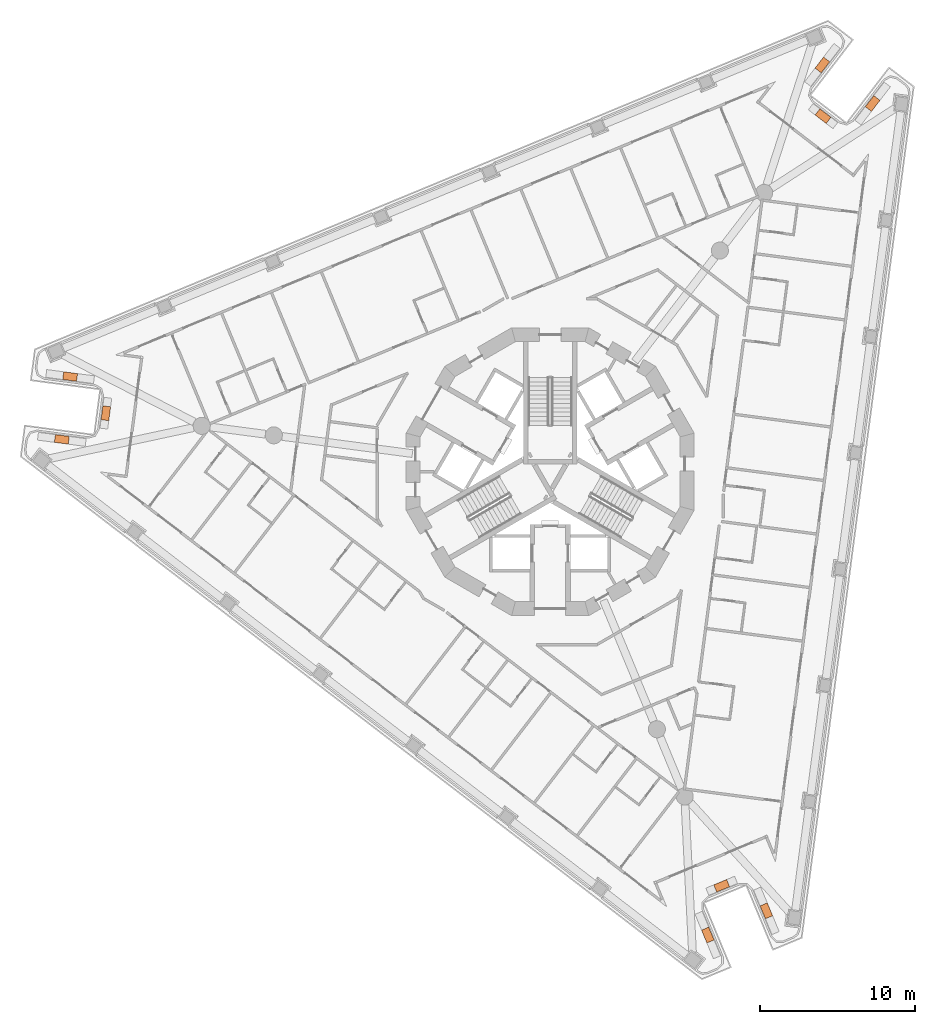
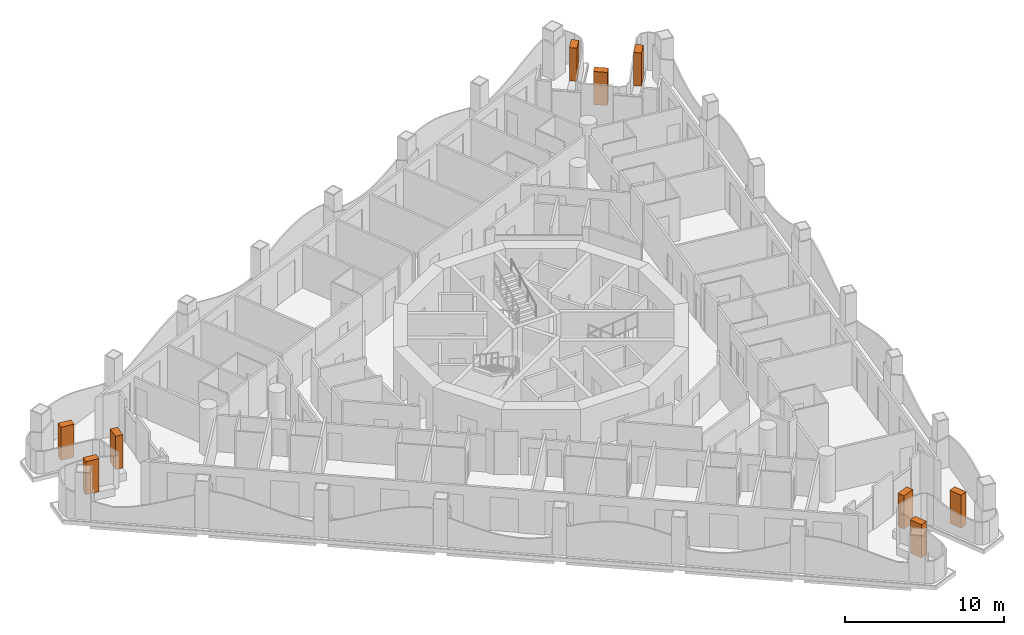
# One storey, part 17 of 17: 9 geographic elements.
"""IFC4 building model written with IfcOpenShell, lengths in metres."""

from ifc_helpers import new_model, si_unit, direction, frame, origin, origin_2d, place, context, subcontext, project, spatial, rectangle, extrude, element, save


model = new_model("IFC4")

# Units and contexts
model_context = context("Model", 3, precision=1e-05, world=origin(), true_north=direction((0.0, 1.0)))
body_context = subcontext(model_context, "Body", "Model", "MODEL_VIEW")
ifc_project = project(units=[si_unit("LENGTHUNIT", "METRE"), si_unit("AREAUNIT", "SQUARE_METRE"), si_unit("VOLUMEUNIT", "CUBIC_METRE"), si_unit("PLANEANGLEUNIT", "RADIAN"), si_unit("MASSUNIT", "GRAM", prefix="KILO")], contexts=[model_context])

# Site, building, storey
site_placement = place(None, origin())
site = spatial("IfcSite", under=ifc_project, at=site_placement, CompositionType="ELEMENT")
building_placement = place(site_placement, origin())
building = spatial("IfcBuilding", under=site, at=building_placement, Name="Trine Commons Tower", CompositionType="ELEMENT")
storey_placement = place(building_placement, frame((0.0, 0.0, 127.800048828125)))
storey = spatial("IfcBuildingStorey", under=building, at=storey_placement, Name="L32", CompositionType="ELEMENT", Elevation=127.800048828125)

# Geographic elements
for number, where, z_axis, x_axis, name in (
    (1, (48.54638671875, 64.58349609375, 0.60009765625), (0.0, 0.0, 1.0), (0.991446455978, -0.130514079426, 0.0), "Tree 1.1"),
    (2, (51.380615234375, 66.267822265625, 0.60009765625), (0.0, 0.0, 1.0), (0.130543496177, 0.991442583111, 0.0), "Tree 2.1"),
    (3, (49.078857421875, 68.62841796875, 0.60009765625), (0.0, 0.0, 1.0), (-0.991446000392, 0.130517540226, 0.0), "Tree 3.1"),
    (4, (97.531005859375, 88.697998046875, 0.60009765625), (0.0, 0.0, 1.0), (-0.608754505672, -0.793358652707, 0.0), "Tree 4.1"),
    (5, (97.57275390625, 85.4013671875, 0.60009765625), (0.0, 0.0, 1.0), (0.793335277627, -0.608784968008, 0.0), "Tree 5.1"),
    (6, (100.767822265625, 86.214111328125, 0.60009765625), (0.0, 0.0, 1.0), (0.6087683523, 0.793348027815, 0.0), "Tree 6.1"),
    (7, (93.922607421875, 34.21875, 0.60009765625), (0.0, 0.0, 1.0), (-0.382694719654, 0.923874857082, 0.0), "Tree 7.1"),
    (8, (91.046630859375, 35.830810546875, 0.60009765625), (0.0, 0.0, 1.0), (-0.923877528773, -0.382688269782, 0.0), "Tree 8.1"),
    (9, (90.153076171875, 32.657470703125, 0.60009765625), (0.0, 0.0, 1.0), (0.382694719654, -0.923874857082, 0.0), "Tree 9.1"),
):
    element("IfcGeographicElement", number, at=place(storey_placement, frame(where, z_axis=z_axis, x_axis=x_axis)), inside=storey, Name=name, ObjectType="TREE Tabebuia rosea", PredefinedType="USERDEFINED", context=body_context, shape_type="SweptSolid", body=[
        extrude(rectangle(XDim=0.89990234375, YDim=0.5, at=origin_2d()), origin(), (0.0, 0.0, 1.0), 2.550048828125),
    ])

save(model, "model.ifc")
